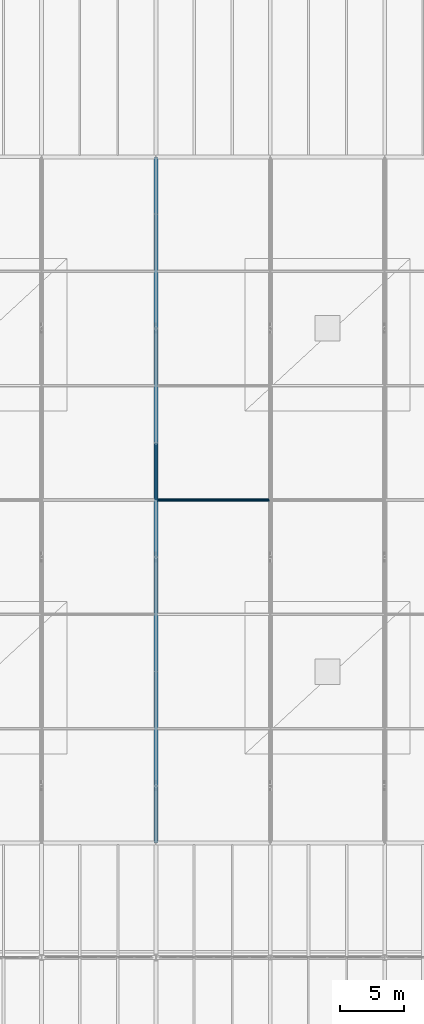
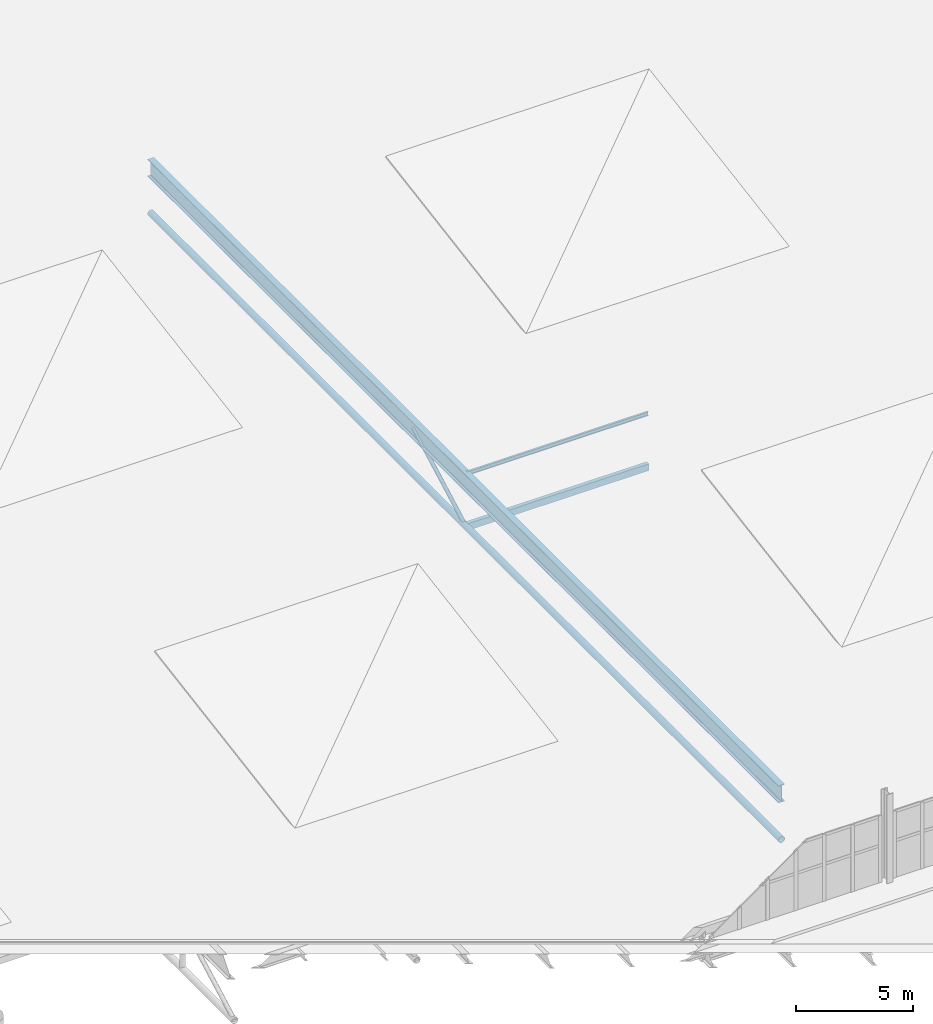
# One storey, part 79 of 196: 4 members, 1 beam.
"""IFC4 building model written with IfcOpenShell, lengths in metres."""

from ifc_helpers import new_model, si_unit, direction, frame, origin, origin_2d, place, context, subcontext, project, spatial, hollow_rectangle, hollow_circle, i_section, extrude, material, material_profile, profile_set, type_object, element, save


model = new_model("IFC4")

# Units and contexts
model_context = context("Model", 3, precision=1e-05, world=origin(), true_north=direction((0.0, 1.0)))
body_context = subcontext(model_context, "Body", "Model", "MODEL_VIEW")
ifc_project = project(units=[si_unit("LENGTHUNIT", "METRE"), si_unit("AREAUNIT", "SQUARE_METRE"), si_unit("VOLUMEUNIT", "CUBIC_METRE"), si_unit("PLANEANGLEUNIT", "RADIAN"), si_unit("MASSUNIT", "GRAM", prefix="KILO")], contexts=[model_context])

# Site, building, storey
site_placement = place(None, origin())
site = spatial("IfcSite", under=ifc_project, at=site_placement, CompositionType="ELEMENT")
building_placement = place(site_placement, origin())
building = spatial("IfcBuilding", under=site, at=building_placement, Name="Barlavento Convention Centre", CompositionType="ELEMENT")
storey_placement = place(building_placement, frame((0.0, 0.0, 18.0)))
storey = spatial("IfcBuildingStorey", under=building, at=storey_placement, Name="L03", CompositionType="ELEMENT", Elevation=18.0)

# Beam
ifc_material_1 = material(Name="Steel S460", Category="steel")
ifc_material_profile_1 = material_profile(ifc_material_1, i_section(OverallWidth=0.300048828125, OverallDepth=0.89990234375, WebThickness=0.0185546875, FlangeThickness=0.034912109375, FilletRadius=0.030029296875, at=origin_2d()), Name="HEB 900")
ifc_profile_set_1 = profile_set([ifc_material_profile_1], Name="Steel S460")
beam_type = type_object("IfcBeamType", Name="STR-BM-EXH-HEB900", PredefinedType="BEAM", material=ifc_profile_set_1)
beam_placement = place(storey_placement, frame((90.0, 63.02001953125, -0.794921875), z_axis=(0.0, 1.0, 0.0), x_axis=(-1.0, 0.0, 0.0)))
element("IfcBeam", 1, at=beam_placement, inside=storey, type_object=beam_type, Name="Exhibition roof space frame top girder", PredefinedType="BEAM", context=body_context, shape_type="SweptSolid", body=[
    extrude(i_section(OverallWidth=0.300048828125, OverallDepth=0.89990234375, WebThickness=0.0185546875, FlangeThickness=0.034912109375, FilletRadius=0.030029296875, at=origin_2d()), origin(), (0.0, 0.0, 1.0), 53.9599609375),
])

# Members
ifc_material_2 = material(Name="Steel S355", Category="steel")
ifc_material_profile_2 = material_profile(ifc_material_2, hollow_circle(Radius=0.161865234375, WallThickness=0.01611328125, at=origin_2d()), Name="CHS 323.9x16.0")
ifc_profile_set_2 = profile_set([ifc_material_profile_2], Name="Steel S355")
member_type_1 = type_object("IfcMemberType", Name="STR-MEM-CHD-CHS323", PredefinedType="CHORD", material=ifc_profile_set_2)
member_1_placement = place(storey_placement, frame((90.0, 63.02001953125, -3.199951171875), z_axis=(0.0, 1.0, 0.0), x_axis=(-1.0, 0.0, 0.0)))
element("IfcMember", 2, at=member_1_placement, inside=storey, type_object=member_type_1, Name="Exhibition space frame bottom chord TC02", PredefinedType="CHORD", context=body_context, shape_type="SweptSolid", body=[
    extrude(hollow_circle(Radius=0.161865234375, WallThickness=0.01611328125, at=origin_2d()), origin(), (0.0, 0.0, 1.0), 53.9599609375),
])
ifc_material_profile_3 = material_profile(ifc_material_2, hollow_rectangle(XDim=0.199951171875, YDim=0.35009765625, WallThickness=0.012451171875, at=origin_2d()), Name="RHS 350x200x12.5")
ifc_profile_set_3 = profile_set([ifc_material_profile_3], Name="Steel S355")
member_type_2 = type_object("IfcMemberType", Name="STR-MEM-COL-RHS350", PredefinedType="COLLAR", material=ifc_profile_set_3)
member_2_placement = place(storey_placement, frame((90.02001953125, 90.0, -3.199951171875), z_axis=(1.0, 0.0, 0.0), x_axis=(0.0, 1.0, 0.0)))
element("IfcMember", 3, at=member_2_placement, inside=storey, type_object=member_type_2, Name="Exhibition space frame transverse chord", PredefinedType="COLLAR", context=body_context, shape_type="SweptSolid", body=[
    extrude(hollow_rectangle(XDim=0.199951171875, YDim=0.35009765625, WallThickness=0.012451171875, at=origin_2d()), origin(), (0.0, 0.0, 1.0), 8.9599609375),
])
ifc_material_profile_4 = material_profile(ifc_material_2, hollow_circle(Radius=0.096923828125, WallThickness=0.010009765625, at=origin_2d()), Name="CHS 193.7x10.0")
ifc_profile_set_4 = profile_set([ifc_material_profile_4], Name="Steel S355")
member_type_3 = type_object("IfcMemberType", Name="STR-MEM-DIAG-CHS193", PredefinedType="RAFTER", material=ifc_profile_set_4)
member_3_placement = place(storey_placement, frame((90.0, 90.050048828125, -3.199951171875), z_axis=(0.0, 0.879735433057, 0.475463529437), x_axis=(-1.0, 0.0, 0.0)))
element("IfcMember", 4, at=member_3_placement, inside=storey, type_object=member_type_3, Name="Exhibition space frame web diagonal", PredefinedType="RAFTER", context=body_context, shape_type="SweptSolid", body=[
    extrude(hollow_circle(Radius=0.096923828125, WallThickness=0.010009765625, at=origin_2d()), origin(), (0.0, 0.0, 1.0), 5.058349609375),
])
ifc_material_profile_5 = material_profile(ifc_material_2, i_section(OverallWidth=0.10009765625, OverallDepth=0.199951171875, WebThickness=0.005615234375, FlangeThickness=0.008544921875, FilletRadius=0.011962890625, at=origin_2d()), Name="IPE 200")
ifc_profile_set_5 = profile_set([ifc_material_profile_5], Name="Steel S355")
member_type_4 = type_object("IfcMemberType", Name="STR-MEM-PUR-IPE200", PredefinedType="PURLIN", material=ifc_profile_set_5)
member_4_placement = place(storey_placement, frame((90.02001953125, 90.0, -0.445068359375), z_axis=(1.0, 0.0, 0.0), x_axis=(0.0, 1.0, 0.0)))
element("IfcMember", 5, at=member_4_placement, inside=storey, type_object=member_type_4, Name="Exhibition roof purlin", PredefinedType="PURLIN", context=body_context, shape_type="SweptSolid", body=[
    extrude(i_section(OverallWidth=0.10009765625, OverallDepth=0.199951171875, WebThickness=0.005615234375, FlangeThickness=0.008544921875, FilletRadius=0.011962890625, at=origin_2d()), origin(), (0.0, 0.0, 1.0), 8.9599609375),
])

save(model, "model.ifc")
